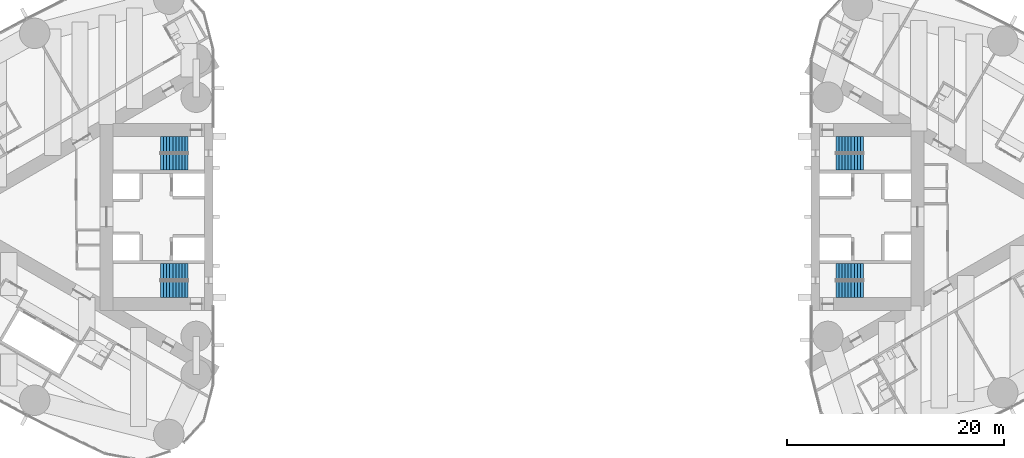
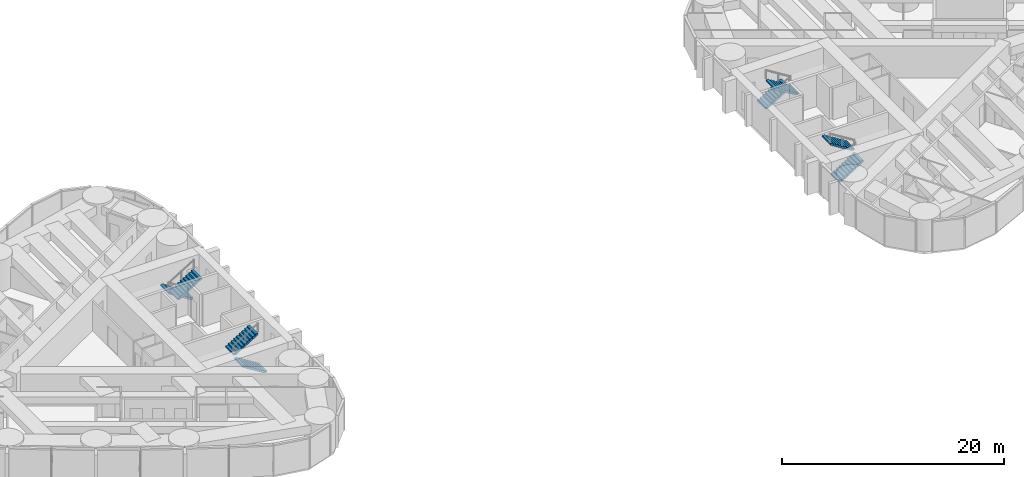
# One storey, part 17 of 19: 8 stair flights, 4 elements without a shape of their own.
"""IFC4 building model written with IfcOpenShell, lengths in metres."""

from ifc_helpers import new_model, si_unit, direction, frame, origin, place, context, subcontext, project, spatial, polyline, outline, extrude, material, type_object, element, aggregate, save


model = new_model("IFC4")

# Units and contexts
model_context = context("Model", 3, precision=1e-05, world=origin(), true_north=direction((0.0, 1.0)))
body_context = subcontext(model_context, "Body", "Model", "MODEL_VIEW")
ifc_project = project(units=[si_unit("LENGTHUNIT", "METRE"), si_unit("AREAUNIT", "SQUARE_METRE"), si_unit("VOLUMEUNIT", "CUBIC_METRE"), si_unit("PLANEANGLEUNIT", "RADIAN"), si_unit("MASSUNIT", "GRAM", prefix="KILO")], contexts=[model_context])

# Site, building, storey
site_placement = place(None, origin())
site = spatial("IfcSite", under=ifc_project, at=site_placement, CompositionType="ELEMENT")
building_placement = place(site_placement, origin())
building = spatial("IfcBuilding", under=site, at=building_placement, Name="Lancet Gate Hotel", CompositionType="ELEMENT")
storey_placement = place(building_placement, frame((0.0, 0.0, 177.300048828125)))
storey = spatial("IfcBuildingStorey", under=building, at=storey_placement, Name="L47", CompositionType="ELEMENT", Elevation=177.300048828125)

# Stair, stair flights
ifc_material_1 = material(Name="Exit stair 20 risers 1500")
stair_type = type_object("IfcStairType", Name="Exit stair 20 risers 1500", PredefinedType="HALF_TURN_STAIR", material=ifc_material_1)
stair_1_placement = place(storey_placement, origin())
stair_1 = element("IfcStair", 1, at=stair_1_placement, inside=storey, type_object=stair_type, Name="T1 stair 1 L47", PredefinedType="HALF_TURN_STAIR")
ifc_material_2 = material(Name="Stair flight 10 risers 175 rise 1500")
stair_flight_type = type_object("IfcStairFlightType", Name="Stair flight 10 risers 175 rise 1500", PredefinedType="STRAIGHT", material=ifc_material_2)
stair_flight_1_placement = place(storey_placement, frame((-29.800048828125, 6.64990234375, 0.0), z_axis=(0.0, 0.0, 1.0), x_axis=(-1.0, 0.0, 0.0)))
stair_flight_1 = element("IfcStairFlight", 2, at=stair_flight_1_placement, type_object=stair_flight_type, Name="ST1 flight 1", NumberOfRisers=10, NumberOfTreads=9, PredefinedType="STRAIGHT", RiserHeight=0.175, TreadLength=0.28, context=body_context, shape_type="SweptSolid", body=[
    extrude(outline(polyline([(0.0, 0.0), (0.0, 0.175048828125), (0.280029296875, 0.175048828125), (0.280029296875, 0.35009765625), (0.56005859375, 0.35009765625), (0.56005859375, 0.52490234375), (0.840087890625, 0.52490234375), (0.840087890625, 0.699951171875), (1.1201171875, 0.699951171875), (1.1201171875, 0.875), (1.39990234375, 0.875), (1.39990234375, 1.050048828125), (1.679931640625, 1.050048828125), (1.679931640625, 1.22509765625), (1.9599609375, 1.22509765625), (1.9599609375, 1.39990234375), (2.239990234375, 1.39990234375), (2.239990234375, 1.574951171875), (2.52001953125, 1.574951171875), (2.52001953125, 1.75), (2.52001953125, 1.398193359375), (0.28271484375, 0.0), (0.0, 0.0)])), frame((0.0, 0.75, 0.0), z_axis=(0.0, -1.0, 0.0), x_axis=(1.0, 0.0, 0.0)), (0.0, 0.0, 1.0), 1.5),
])
stair_flight_2_placement = place(storey_placement, frame((-32.320068359375, 5.050048828125, 1.75), z_axis=(0.0, 0.0, 1.0), x_axis=(1.0, 0.0, 0.0)))
stair_flight_2 = element("IfcStairFlight", 3, at=stair_flight_2_placement, type_object=stair_flight_type, Name="ST1 flight 2", NumberOfRisers=10, NumberOfTreads=9, PredefinedType="STRAIGHT", RiserHeight=0.175, TreadLength=0.28, context=body_context, shape_type="SweptSolid", body=[
    extrude(outline(polyline([(0.0, 0.0), (0.0, 0.175048828125), (0.280029296875, 0.175048828125), (0.280029296875, 0.35009765625), (0.56005859375, 0.35009765625), (0.56005859375, 0.52490234375), (0.840087890625, 0.52490234375), (0.840087890625, 0.699951171875), (1.1201171875, 0.699951171875), (1.1201171875, 0.875), (1.39990234375, 0.875), (1.39990234375, 1.050048828125), (1.679931640625, 1.050048828125), (1.679931640625, 1.22509765625), (1.9599609375, 1.22509765625), (1.9599609375, 1.39990234375), (2.239990234375, 1.39990234375), (2.239990234375, 1.574951171875), (2.52001953125, 1.574951171875), (2.52001953125, 1.75), (2.52001953125, 1.398193359375), (0.28271484375, 0.0), (0.0, 0.0)])), frame((0.0, 0.75, 0.0), z_axis=(0.0, -1.0, 0.0), x_axis=(1.0, 0.0, 0.0)), (0.0, 0.0, 1.0), 1.5),
])
aggregate(stair_1, [stair_flight_1, stair_flight_2])

stair_2_placement = place(storey_placement, origin())
stair_2 = element("IfcStair", 4, at=stair_2_placement, inside=storey, type_object=stair_type, Name="T1 stair 2 L47", PredefinedType="HALF_TURN_STAIR")
stair_flight_3_placement = place(storey_placement, frame((-29.800048828125, -6.64990234375, 0.0), z_axis=(0.0, 0.0, 1.0), x_axis=(-1.0, 0.0, 0.0)))
stair_flight_3 = element("IfcStairFlight", 5, at=stair_flight_3_placement, type_object=stair_flight_type, Name="ST2 flight 1", NumberOfRisers=10, NumberOfTreads=9, PredefinedType="STRAIGHT", RiserHeight=0.175, TreadLength=0.28, context=body_context, shape_type="SweptSolid", body=[
    extrude(outline(polyline([(0.0, 0.0), (0.0, 0.175048828125), (0.280029296875, 0.175048828125), (0.280029296875, 0.35009765625), (0.56005859375, 0.35009765625), (0.56005859375, 0.52490234375), (0.840087890625, 0.52490234375), (0.840087890625, 0.699951171875), (1.1201171875, 0.699951171875), (1.1201171875, 0.875), (1.39990234375, 0.875), (1.39990234375, 1.050048828125), (1.679931640625, 1.050048828125), (1.679931640625, 1.22509765625), (1.9599609375, 1.22509765625), (1.9599609375, 1.39990234375), (2.239990234375, 1.39990234375), (2.239990234375, 1.574951171875), (2.52001953125, 1.574951171875), (2.52001953125, 1.75), (2.52001953125, 1.398193359375), (0.28271484375, 0.0), (0.0, 0.0)])), frame((0.0, 0.75, 0.0), z_axis=(0.0, -1.0, 0.0), x_axis=(1.0, 0.0, 0.0)), (0.0, 0.0, 1.0), 1.5),
])
stair_flight_4_placement = place(storey_placement, frame((-32.320068359375, -5.050048828125, 1.75), z_axis=(0.0, 0.0, 1.0), x_axis=(1.0, 0.0, 0.0)))
stair_flight_4 = element("IfcStairFlight", 6, at=stair_flight_4_placement, type_object=stair_flight_type, Name="ST2 flight 2", NumberOfRisers=10, NumberOfTreads=9, PredefinedType="STRAIGHT", RiserHeight=0.175, TreadLength=0.28, context=body_context, shape_type="SweptSolid", body=[
    extrude(outline(polyline([(0.0, 0.0), (0.0, 0.175048828125), (0.280029296875, 0.175048828125), (0.280029296875, 0.35009765625), (0.56005859375, 0.35009765625), (0.56005859375, 0.52490234375), (0.840087890625, 0.52490234375), (0.840087890625, 0.699951171875), (1.1201171875, 0.699951171875), (1.1201171875, 0.875), (1.39990234375, 0.875), (1.39990234375, 1.050048828125), (1.679931640625, 1.050048828125), (1.679931640625, 1.22509765625), (1.9599609375, 1.22509765625), (1.9599609375, 1.39990234375), (2.239990234375, 1.39990234375), (2.239990234375, 1.574951171875), (2.52001953125, 1.574951171875), (2.52001953125, 1.75), (2.52001953125, 1.398193359375), (0.28271484375, 0.0), (0.0, 0.0)])), frame((0.0, 0.75, 0.0), z_axis=(0.0, -1.0, 0.0), x_axis=(1.0, 0.0, 0.0)), (0.0, 0.0, 1.0), 1.5),
])
aggregate(stair_2, [stair_flight_3, stair_flight_4])

stair_3_placement = place(storey_placement, origin())
stair_3 = element("IfcStair", 7, at=stair_3_placement, inside=storey, type_object=stair_type, Name="T2 stair 1 L47", PredefinedType="HALF_TURN_STAIR")
stair_flight_5_placement = place(storey_placement, frame((29.800048828125, -6.64990234375, 0.0), z_axis=(0.0, 0.0, 1.0), x_axis=(1.0, 0.0, 0.0)))
stair_flight_5 = element("IfcStairFlight", 8, at=stair_flight_5_placement, type_object=stair_flight_type, Name="ST3 flight 1", NumberOfRisers=10, NumberOfTreads=9, PredefinedType="STRAIGHT", RiserHeight=0.175, TreadLength=0.28, context=body_context, shape_type="SweptSolid", body=[
    extrude(outline(polyline([(0.0, 0.0), (0.0, 0.175048828125), (0.280029296875, 0.175048828125), (0.280029296875, 0.35009765625), (0.56005859375, 0.35009765625), (0.56005859375, 0.52490234375), (0.840087890625, 0.52490234375), (0.840087890625, 0.699951171875), (1.1201171875, 0.699951171875), (1.1201171875, 0.875), (1.39990234375, 0.875), (1.39990234375, 1.050048828125), (1.679931640625, 1.050048828125), (1.679931640625, 1.22509765625), (1.9599609375, 1.22509765625), (1.9599609375, 1.39990234375), (2.239990234375, 1.39990234375), (2.239990234375, 1.574951171875), (2.52001953125, 1.574951171875), (2.52001953125, 1.75), (2.52001953125, 1.398193359375), (0.28271484375, 0.0), (0.0, 0.0)])), frame((0.0, 0.75, 0.0), z_axis=(0.0, -1.0, 0.0), x_axis=(1.0, 0.0, 0.0)), (0.0, 0.0, 1.0), 1.5),
])
stair_flight_6_placement = place(storey_placement, frame((32.320068359375, -5.050048828125, 1.75), z_axis=(0.0, 0.0, 1.0), x_axis=(-1.0, 0.0, 0.0)))
stair_flight_6 = element("IfcStairFlight", 9, at=stair_flight_6_placement, type_object=stair_flight_type, Name="ST3 flight 2", NumberOfRisers=10, NumberOfTreads=9, PredefinedType="STRAIGHT", RiserHeight=0.175, TreadLength=0.28, context=body_context, shape_type="SweptSolid", body=[
    extrude(outline(polyline([(0.0, 0.0), (0.0, 0.175048828125), (0.280029296875, 0.175048828125), (0.280029296875, 0.35009765625), (0.56005859375, 0.35009765625), (0.56005859375, 0.52490234375), (0.840087890625, 0.52490234375), (0.840087890625, 0.699951171875), (1.1201171875, 0.699951171875), (1.1201171875, 0.875), (1.39990234375, 0.875), (1.39990234375, 1.050048828125), (1.679931640625, 1.050048828125), (1.679931640625, 1.22509765625), (1.9599609375, 1.22509765625), (1.9599609375, 1.39990234375), (2.239990234375, 1.39990234375), (2.239990234375, 1.574951171875), (2.52001953125, 1.574951171875), (2.52001953125, 1.75), (2.52001953125, 1.398193359375), (0.28271484375, 0.0), (0.0, 0.0)])), frame((0.0, 0.75, 0.0), z_axis=(0.0, -1.0, 0.0), x_axis=(1.0, 0.0, 0.0)), (0.0, 0.0, 1.0), 1.5),
])
aggregate(stair_3, [stair_flight_5, stair_flight_6])

stair_4_placement = place(storey_placement, origin())
stair_4 = element("IfcStair", 10, at=stair_4_placement, inside=storey, type_object=stair_type, Name="T2 stair 2 L47", PredefinedType="HALF_TURN_STAIR")
stair_flight_7_placement = place(storey_placement, frame((29.800048828125, 6.64990234375, 0.0), z_axis=(0.0, 0.0, 1.0), x_axis=(1.0, 0.0, 0.0)))
stair_flight_7 = element("IfcStairFlight", 11, at=stair_flight_7_placement, type_object=stair_flight_type, Name="ST4 flight 1", NumberOfRisers=10, NumberOfTreads=9, PredefinedType="STRAIGHT", RiserHeight=0.175, TreadLength=0.28, context=body_context, shape_type="SweptSolid", body=[
    extrude(outline(polyline([(0.0, 0.0), (0.0, 0.175048828125), (0.280029296875, 0.175048828125), (0.280029296875, 0.35009765625), (0.56005859375, 0.35009765625), (0.56005859375, 0.52490234375), (0.840087890625, 0.52490234375), (0.840087890625, 0.699951171875), (1.1201171875, 0.699951171875), (1.1201171875, 0.875), (1.39990234375, 0.875), (1.39990234375, 1.050048828125), (1.679931640625, 1.050048828125), (1.679931640625, 1.22509765625), (1.9599609375, 1.22509765625), (1.9599609375, 1.39990234375), (2.239990234375, 1.39990234375), (2.239990234375, 1.574951171875), (2.52001953125, 1.574951171875), (2.52001953125, 1.75), (2.52001953125, 1.398193359375), (0.28271484375, 0.0), (0.0, 0.0)])), frame((0.0, 0.75, 0.0), z_axis=(0.0, -1.0, 0.0), x_axis=(1.0, 0.0, 0.0)), (0.0, 0.0, 1.0), 1.5),
])
stair_flight_8_placement = place(storey_placement, frame((32.320068359375, 5.050048828125, 1.75), z_axis=(0.0, 0.0, 1.0), x_axis=(-1.0, 0.0, 0.0)))
stair_flight_8 = element("IfcStairFlight", 12, at=stair_flight_8_placement, type_object=stair_flight_type, Name="ST4 flight 2", NumberOfRisers=10, NumberOfTreads=9, PredefinedType="STRAIGHT", RiserHeight=0.175, TreadLength=0.28, context=body_context, shape_type="SweptSolid", body=[
    extrude(outline(polyline([(0.0, 0.0), (0.0, 0.175048828125), (0.280029296875, 0.175048828125), (0.280029296875, 0.35009765625), (0.56005859375, 0.35009765625), (0.56005859375, 0.52490234375), (0.840087890625, 0.52490234375), (0.840087890625, 0.699951171875), (1.1201171875, 0.699951171875), (1.1201171875, 0.875), (1.39990234375, 0.875), (1.39990234375, 1.050048828125), (1.679931640625, 1.050048828125), (1.679931640625, 1.22509765625), (1.9599609375, 1.22509765625), (1.9599609375, 1.39990234375), (2.239990234375, 1.39990234375), (2.239990234375, 1.574951171875), (2.52001953125, 1.574951171875), (2.52001953125, 1.75), (2.52001953125, 1.398193359375), (0.28271484375, 0.0), (0.0, 0.0)])), frame((0.0, 0.75, 0.0), z_axis=(0.0, -1.0, 0.0), x_axis=(1.0, 0.0, 0.0)), (0.0, 0.0, 1.0), 1.5),
])
aggregate(stair_4, [stair_flight_7, stair_flight_8])

save(model, "model.ifc")
